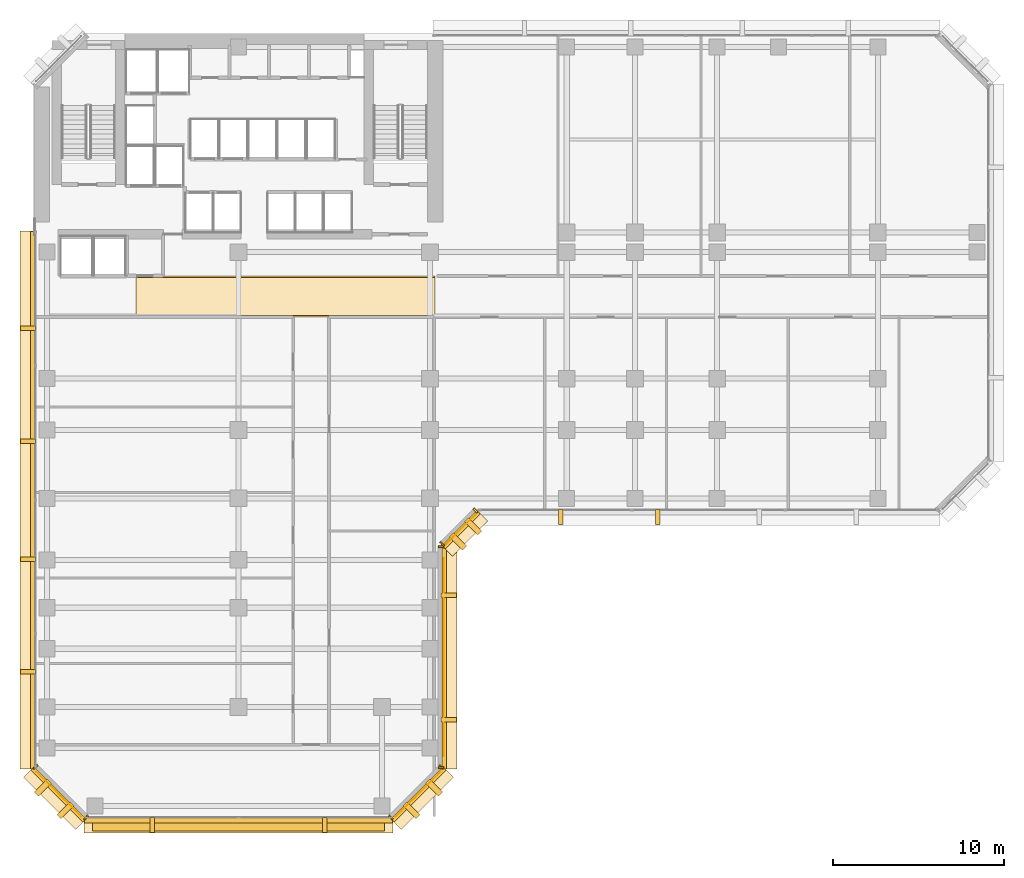
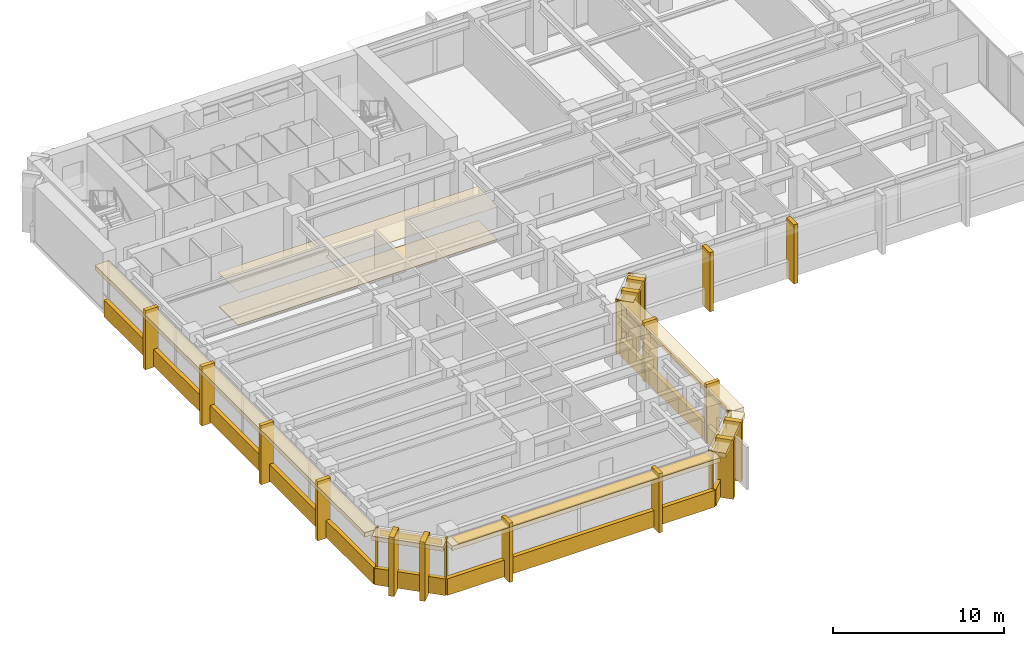
# One storey, part 9 of 13: 42 coverings, 1 shading device.
"""IFC4 building model written with IfcOpenShell, lengths in metres."""

from ifc_helpers import new_model, si_unit, direction, frame, origin, origin_2d, place, context, subcontext, project, spatial, polyline, rectangle, outline, extrude, material, layer, layer_set, type_object, element, save


model = new_model("IFC4")

# Units and contexts
model_context = context("Model", 3, precision=1e-05, world=origin(), true_north=direction((0.0, 1.0)))
body_context = subcontext(model_context, "Body", "Model", "MODEL_VIEW")
ifc_project = project(units=[si_unit("LENGTHUNIT", "METRE"), si_unit("AREAUNIT", "SQUARE_METRE"), si_unit("VOLUMEUNIT", "CUBIC_METRE"), si_unit("PLANEANGLEUNIT", "RADIAN"), si_unit("MASSUNIT", "GRAM", prefix="KILO")], contexts=[model_context])

# Site, building, storey
site_placement = place(None, origin())
site = spatial("IfcSite", under=ifc_project, at=site_placement, CompositionType="ELEMENT")
building_placement = place(site_placement, origin())
building = spatial("IfcBuilding", under=site, at=building_placement, Name="Kefirva Bronze Tower", CompositionType="ELEMENT")
storey_placement = place(building_placement, frame((0.0, 0.0, 58.080078125)))
storey = spatial("IfcBuildingStorey", under=building, at=storey_placement, Name="L13", CompositionType="ELEMENT", Elevation=58.080078125)

# Coverings
ifc_material_1 = material(Name="Acoustic mineral tile")
ifc_layer_1 = layer(ifc_material_1, 0.02490234375, Name="Acoustic mineral tile")
ifc_layer_set_1 = layer_set([ifc_layer_1], Name="Acoustic mineral tile")
covering_type_1 = type_object("IfcCoveringType", Name="Acoustic Mineral Suspended Ceiling 25mm", PredefinedType="CEILING", material=ifc_layer_set_1)
covering_1_placement = place(storey_placement, frame((0.0, 0.0, 2.39990234375)))
element("IfcCovering", 1, at=covering_1_placement, inside=storey, type_object=covering_type_1, Name="L13 Corridor Acoustic Ceiling", PredefinedType="CEILING", context=body_context, shape_type="SweptSolid", body=[
    extrude(outline(polyline([(6.0, 29.39990234375), (23.5, 29.39990234375), (23.5, 31.800048828125), (6.0, 31.800048828125), (6.0, 29.39990234375)])), origin(), (0.0, 0.0, 1.0), 0.02490234375),
])
ifc_material_2 = material(Name="Bronze anodised aluminium", Category="aluminium")
ifc_layer_2 = layer(ifc_material_2, 0.02001953125, Name="Bronze anodised aluminium")
ifc_layer_set_2 = layer_set([ifc_layer_2], Name="Bronze anodised aluminium")
covering_type_2 = type_object("IfcCoveringType", Name="Anodised Bronze Spandrel Cladding 20mm", PredefinedType="CLADDING", material=ifc_layer_set_2)
covering_2_placement = place(storey_placement, frame((12.0, -0.0400390625, -0.16015625), z_axis=(0.0, 0.0, 1.0), x_axis=(1.0, 0.0, 0.0)))
element("IfcCovering", 2, at=covering_2_placement, inside=storey, type_object=covering_type_2, Name="L13 Streamline Horizontal Spandrel Band 0", PredefinedType="CLADDING", context=body_context, shape_type="SweptSolid", body=[
    extrude(rectangle(XDim=18.0400390625, YDim=0.280029296875, at=origin_2d()), origin(), (0.0, 0.0, 1.0), 1.179931640625),
])
covering_3_placement = place(storey_placement, frame((22.507080078125, 1.492919921875, 3.2900390625), z_axis=(0.0, 0.0, 1.0), x_axis=(0.707106781187, 0.707106781187, 0.0)))
element("IfcCovering", 3, at=covering_3_placement, inside=storey, type_object=covering_type_2, Name="L13 Bronze Spandrel Cladding 1", PredefinedType="CLADDING", context=body_context, shape_type="SweptSolid", body=[
    extrude(rectangle(XDim=3.719482421875, YDim=0.02001953125, at=origin_2d()), origin(), (0.0, 0.0, 1.0), 0.39990234375),
])
for number, where, z_axis, x_axis, name in (
    (4, (20.91162109375, 0.137939453125, 0.0), (0.0, 0.0, 1.0), (0.707106781187, 0.707106781187, 0.0), "L13 Facade Joint Closure Panel 1S"),
    (5, (23.862060546875, 3.08837890625, 0.0), (0.0, 0.0, 1.0), (0.707106781187, 0.707106781187, 0.0), "L13 Facade Joint Closure Panel 1E"),
):
    element("IfcCovering", number, at=place(storey_placement, frame(where, z_axis=z_axis, x_axis=x_axis)), inside=storey, type_object=covering_type_2, Name=name, PredefinedType="CLADDING", context=body_context, shape_type="SweptSolid", body=[
        extrude(rectangle(XDim=0.10009765625, YDim=0.320068359375, at=origin_2d()), origin(), (0.0, 0.0, 1.0), 3.7099609375),
    ])
covering_4_placement = place(storey_placement, frame((22.5283203125, 1.4716796875, -0.16015625), z_axis=(0.0, 0.0, 1.0), x_axis=(0.707106781187, 0.707106781187, 0.0)))
element("IfcCovering", 6, at=covering_4_placement, inside=storey, type_object=covering_type_2, Name="L13 Streamline Horizontal Spandrel Band 1", PredefinedType="CLADDING", context=body_context, shape_type="SweptSolid", body=[
    extrude(rectangle(XDim=4.28271484375, YDim=0.280029296875, at=origin_2d()), origin(), (0.0, 0.0, 1.0), 1.179931640625),
])
covering_5_placement = place(storey_placement, frame((24.010009765625, 9.5, 3.2900390625), z_axis=(0.0, 0.0, 1.0), x_axis=(0.0, 1.0, 0.0)))
element("IfcCovering", 7, at=covering_5_placement, inside=storey, type_object=covering_type_2, Name="L13 Bronze Spandrel Cladding 2", PredefinedType="CLADDING", context=body_context, shape_type="SweptSolid", body=[
    extrude(rectangle(XDim=11.60107421875, YDim=0.02001953125, at=origin_2d()), origin(), (0.0, 0.0, 1.0), 0.39990234375),
])
for number, where, z_axis, x_axis, name in (
    (8, (23.840087890625, 3.034912109375, 0.0), (0.0, 0.0, 1.0), (0.0, 1.0, 0.0), "L13 Facade Joint Closure Panel 2S"),
    (9, (23.840087890625, 15.965087890625, 0.0), (0.0, 0.0, 1.0), (0.0, 1.0, 0.0), "L13 Facade Joint Closure Panel 2E"),
):
    element("IfcCovering", number, at=place(storey_placement, frame(where, z_axis=z_axis, x_axis=x_axis)), inside=storey, type_object=covering_type_2, Name=name, PredefinedType="CLADDING", context=body_context, shape_type="SweptSolid", body=[
        extrude(rectangle(XDim=0.10009765625, YDim=0.320068359375, at=origin_2d()), origin(), (0.0, 0.0, 1.0), 3.7099609375),
    ])
covering_6_placement = place(storey_placement, frame((24.0400390625, 9.5, -0.16015625), z_axis=(0.0, 0.0, 1.0), x_axis=(0.0, 1.0, 0.0)))
element("IfcCovering", 10, at=covering_6_placement, inside=storey, type_object=covering_type_2, Name="L13 Streamline Horizontal Spandrel Band 2", PredefinedType="CLADDING", context=body_context, shape_type="SweptSolid", body=[
    extrude(rectangle(XDim=13.0400390625, YDim=0.280029296875, at=origin_2d()), origin(), (0.0, 0.0, 1.0), 1.179931640625),
])
covering_7_placement = place(storey_placement, frame((25.007080078125, 16.992919921875, 3.2900390625), z_axis=(0.0, 0.0, 1.0), x_axis=(0.707106781187, 0.707106781187, 0.0)))
element("IfcCovering", 11, at=covering_7_placement, inside=storey, type_object=covering_type_2, Name="L13 Bronze Spandrel Cladding 3", PredefinedType="CLADDING", context=body_context, shape_type="SweptSolid", body=[
    extrude(rectangle(XDim=2.446533203125, YDim=0.02001953125, at=origin_2d()), origin(), (0.0, 0.0, 1.0), 0.39990234375),
])
for number, where, z_axis, x_axis, name in (
    (12, (23.91162109375, 16.137939453125, 0.0), (0.0, 0.0, 1.0), (0.707106781187, 0.707106781187, 0.0), "L13 Facade Joint Closure Panel 3S"),
    (13, (25.862060546875, 18.08837890625, 0.0), (0.0, 0.0, 1.0), (0.707106781187, 0.707106781187, 0.0), "L13 Facade Joint Closure Panel 3E"),
):
    element("IfcCovering", number, at=place(storey_placement, frame(where, z_axis=z_axis, x_axis=x_axis)), inside=storey, type_object=covering_type_2, Name=name, PredefinedType="CLADDING", context=body_context, shape_type="SweptSolid", body=[
        extrude(rectangle(XDim=0.10009765625, YDim=0.320068359375, at=origin_2d()), origin(), (0.0, 0.0, 1.0), 3.7099609375),
    ])
covering_8_placement = place(storey_placement, frame((25.0283203125, 16.9716796875, -0.16015625), z_axis=(0.0, 0.0, 1.0), x_axis=(0.707106781187, 0.707106781187, 0.0)))
element("IfcCovering", 14, at=covering_8_placement, inside=storey, type_object=covering_type_2, Name="L13 Streamline Horizontal Spandrel Band 3", PredefinedType="CLADDING", context=body_context, shape_type="SweptSolid", body=[
    extrude(rectangle(XDim=2.868408203125, YDim=0.280029296875, at=origin_2d()), origin(), (0.0, 0.0, 1.0), 1.179931640625),
])
covering_9_placement = place(storey_placement, frame((-0.0400390625, 18.697509765625, -0.16015625), z_axis=(0.0, 0.0, 1.0), x_axis=(0.0, -1.0, 0.0)))
element("IfcCovering", 15, at=covering_9_placement, inside=storey, type_object=covering_type_2, Name="L13 Streamline Horizontal Spandrel Band 10", PredefinedType="CLADDING", context=body_context, shape_type="SweptSolid", body=[
    extrude(rectangle(XDim=31.43505859375, YDim=0.280029296875, at=origin_2d()), origin(), (0.0, 0.0, 1.0), 1.179931640625),
])
covering_10_placement = place(storey_placement, frame((1.492919921875, 1.492919921875, 3.2900390625), z_axis=(0.0, 0.0, 1.0), x_axis=(0.707106781187, -0.707106781187, 0.0)))
element("IfcCovering", 16, at=covering_10_placement, inside=storey, type_object=covering_type_2, Name="L13 Bronze Spandrel Cladding 7", PredefinedType="CLADDING", context=body_context, shape_type="SweptSolid", body=[
    extrude(rectangle(XDim=3.719482421875, YDim=0.02001953125, at=origin_2d()), origin(), (0.0, 0.0, 1.0), 0.39990234375),
])
for number, where, z_axis, x_axis, name in (
    (17, (0.137939453125, 3.08837890625, 0.0), (0.0, 0.0, 1.0), (0.707106781187, -0.707106781187, 0.0), "L13 Facade Joint Closure Panel 7S"),
    (18, (3.08837890625, 0.137939453125, 0.0), (0.0, 0.0, 1.0), (0.707106781187, -0.707106781187, 0.0), "L13 Facade Joint Closure Panel 7E"),
):
    element("IfcCovering", number, at=place(storey_placement, frame(where, z_axis=z_axis, x_axis=x_axis)), inside=storey, type_object=covering_type_2, Name=name, PredefinedType="CLADDING", context=body_context, shape_type="SweptSolid", body=[
        extrude(rectangle(XDim=0.10009765625, YDim=0.320068359375, at=origin_2d()), origin(), (0.0, 0.0, 1.0), 3.7099609375),
    ])
covering_11_placement = place(storey_placement, frame((1.4716796875, 1.4716796875, -0.16015625), z_axis=(0.0, 0.0, 1.0), x_axis=(0.707106781187, -0.707106781187, 0.0)))
element("IfcCovering", 19, at=covering_11_placement, inside=storey, type_object=covering_type_2, Name="L13 Streamline Horizontal Spandrel Band 11", PredefinedType="CLADDING", context=body_context, shape_type="SweptSolid", body=[
    extrude(rectangle(XDim=4.28271484375, YDim=0.280029296875, at=origin_2d()), origin(), (0.0, 0.0, 1.0), 1.179931640625),
])

# Shading device
ifc_layer_3 = layer(ifc_material_2, 0.090087890625, Name="Bronze anodised aluminium")
ifc_layer_set_3 = layer_set([ifc_layer_3], Name="Bronze anodised aluminium")
shading_device_type = type_object("IfcShadingDeviceType", Name="Horizontal Bronze Sunshade Band 750mm", PredefinedType="JALOUSIE", material=ifc_layer_set_3)
shading_device_placement = place(storey_placement, frame((12.0, -0.294921875, 3.60498046875), z_axis=(0.0, 0.0, 1.0), x_axis=(1.0, 0.0, 0.0)))
element("IfcShadingDevice", 20, at=shading_device_placement, inside=storey, type_object=shading_device_type, Name="L13 Horizontal Bronze Sunshade Band 0", PredefinedType="JALOUSIE", context=body_context, shape_type="SweptSolid", body=[
    extrude(rectangle(XDim=17.090087890625, YDim=0.75, at=origin_2d()), origin(), (0.0, 0.0, 1.0), 0.090087890625),
])

# Coverings
ifc_material_3 = material(Name="Calcium sulphate access tile")
ifc_layer_4 = layer(ifc_material_3, 0.044921875, Name="Calcium sulphate access tile")
ifc_layer_set_4 = layer_set([ifc_layer_4], Name="Calcium sulphate access tile")
covering_type_3 = type_object("IfcCoveringType", Name="Raised Access Office Flooring 45mm", PredefinedType="FLOORING", material=ifc_layer_set_4)
covering_12_placement = place(storey_placement, origin())
element("IfcCovering", 21, at=covering_12_placement, inside=storey, type_object=covering_type_3, Name="L13 Architectural Finish Flooring", PredefinedType="FLOORING", context=body_context, shape_type="SweptSolid", body=[
    extrude(outline(polyline([(6.0, 29.47998046875), (23.5, 29.47998046875), (23.5, 31.719970703125), (6.0, 31.719970703125), (6.0, 29.47998046875)])), origin(), (0.0, 0.0, 1.0), 0.044921875),
])
ifc_layer_5 = layer(ifc_material_2, 0.179931640625, Name="Bronze anodised aluminium")
ifc_layer_set_5 = layer_set([ifc_layer_5], Name="Bronze anodised aluminium")
covering_type_4 = type_object("IfcCoveringType", Name="Streamline Bronze Sunshade Eyebrow Cladding 180mm", PredefinedType="CLADDING", material=ifc_layer_set_5)
covering_13_placement = place(storey_placement, frame((12.0, -0.31005859375, 3.3896484375), z_axis=(0.0, 0.0, 1.0), x_axis=(1.0, 0.0, 0.0)))
element("IfcCovering", 22, at=covering_13_placement, inside=storey, type_object=covering_type_4, Name="L13 Streamline Bronze Sunshade Eyebrow 0", PredefinedType="CLADDING", context=body_context, shape_type="SweptSolid", body=[
    extrude(rectangle(XDim=18.080078125, YDim=0.93994140625, at=origin_2d()), origin(), (0.0, 0.0, 1.0), 0.320068359375),
])
covering_14_placement = place(storey_placement, frame((22.71923828125, 1.28076171875, 3.3896484375), z_axis=(0.0, 0.0, 1.0), x_axis=(0.707106781187, 0.707106781187, 0.0)))
element("IfcCovering", 23, at=covering_14_placement, inside=storey, type_object=covering_type_4, Name="L13 Streamline Bronze Sunshade Eyebrow 1", PredefinedType="CLADDING", context=body_context, shape_type="SweptSolid", body=[
    extrude(rectangle(XDim=4.322509765625, YDim=0.93994140625, at=origin_2d()), origin(), (0.0, 0.0, 1.0), 0.320068359375),
])
covering_15_placement = place(storey_placement, frame((24.31005859375, 9.5, 3.3896484375), z_axis=(0.0, 0.0, 1.0), x_axis=(0.0, 1.0, 0.0)))
element("IfcCovering", 24, at=covering_15_placement, inside=storey, type_object=covering_type_4, Name="L13 Streamline Bronze Sunshade Eyebrow 2", PredefinedType="CLADDING", context=body_context, shape_type="SweptSolid", body=[
    extrude(rectangle(XDim=13.080078125, YDim=0.93994140625, at=origin_2d()), origin(), (0.0, 0.0, 1.0), 0.320068359375),
])
covering_16_placement = place(storey_placement, frame((25.21923828125, 16.78076171875, 3.3896484375), z_axis=(0.0, 0.0, 1.0), x_axis=(0.707106781187, 0.707106781187, 0.0)))
element("IfcCovering", 25, at=covering_16_placement, inside=storey, type_object=covering_type_4, Name="L13 Streamline Bronze Sunshade Eyebrow 3", PredefinedType="CLADDING", context=body_context, shape_type="SweptSolid", body=[
    extrude(rectangle(XDim=2.908447265625, YDim=0.93994140625, at=origin_2d()), origin(), (0.0, 0.0, 1.0), 0.320068359375),
])
covering_17_placement = place(storey_placement, frame((-0.31005859375, 18.697509765625, 3.3896484375), z_axis=(0.0, 0.0, 1.0), x_axis=(0.0, -1.0, 0.0)))
element("IfcCovering", 26, at=covering_17_placement, inside=storey, type_object=covering_type_4, Name="L13 Streamline Bronze Sunshade Eyebrow 10", PredefinedType="CLADDING", context=body_context, shape_type="SweptSolid", body=[
    extrude(rectangle(XDim=31.47509765625, YDim=0.93994140625, at=origin_2d()), origin(), (0.0, 0.0, 1.0), 0.320068359375),
])
covering_18_placement = place(storey_placement, frame((1.28076171875, 1.28076171875, 3.3896484375), z_axis=(0.0, 0.0, 1.0), x_axis=(0.707106781187, -0.707106781187, 0.0)))
element("IfcCovering", 27, at=covering_18_placement, inside=storey, type_object=covering_type_4, Name="L13 Streamline Bronze Sunshade Eyebrow 11", PredefinedType="CLADDING", context=body_context, shape_type="SweptSolid", body=[
    extrude(rectangle(XDim=4.322509765625, YDim=0.93994140625, at=origin_2d()), origin(), (0.0, 0.0, 1.0), 0.320068359375),
])
ifc_layer_6 = layer(ifc_material_2, 0.260009765625, Name="Bronze anodised aluminium")
ifc_layer_set_6 = layer_set([ifc_layer_6], Name="Bronze anodised aluminium")
covering_type_5 = type_object("IfcCoveringType", Name="Unbroken Bronze Buttress Fin Cladding 260mm", PredefinedType="CLADDING", material=ifc_layer_set_6)
for number, where, z_axis, x_axis, name in (
    (28, (6.9599609375, -0.300048828125, -0.25), (0.0, 0.0, 1.0), (1.0, 0.0, 0.0), "L13 Unbroken Vertical Bronze Rib Fin 1"),
    (29, (17.0400390625, -0.300048828125, -0.25), (0.0, 0.0, 1.0), (1.0, 0.0, 0.0), "L13 Unbroken Vertical Bronze Rib Fin 2"),
):
    element("IfcCovering", number, at=place(storey_placement, frame(where, z_axis=z_axis, x_axis=x_axis)), inside=storey, type_object=covering_type_5, Name=name, PredefinedType="CLADDING", context=body_context, shape_type="SweptSolid", body=[
        extrude(rectangle(XDim=0.260009765625, YDim=0.8798828125, at=origin_2d()), origin(), (0.0, 0.0, 1.0), 4.2099609375),
    ])
for number, where, z_axis, x_axis, name in (
    (30, (22.122802734375, 0.55712890625, -0.25), (0.0, 0.0, 1.0), (0.707106781187, 0.707106781187, 0.0), "L13 Chamfered Corner Buttress Fin Cladding 3"),
    (31, (23.44287109375, 1.877197265625, -0.25), (0.0, 0.0, 1.0), (0.707106781187, 0.707106781187, 0.0), "L13 Chamfered Corner Buttress Fin Cladding 4"),
):
    element("IfcCovering", number, at=place(storey_placement, frame(where, z_axis=z_axis, x_axis=x_axis)), inside=storey, type_object=covering_type_5, Name=name, PredefinedType="CLADDING", context=body_context, shape_type="SweptSolid", body=[
        extrude(rectangle(XDim=0.340087890625, YDim=1.080078125, at=origin_2d()), origin(), (0.0, 0.0, 1.0), 4.2099609375),
    ])
for number, where, z_axis, x_axis, name in (
    (32, (24.300048828125, 5.860107421875, -0.25), (0.0, 0.0, 1.0), (0.0, 1.0, 0.0), "L13 Unbroken Vertical Bronze Rib Fin 5"),
    (33, (24.300048828125, 13.139892578125, -0.25), (0.0, 0.0, 1.0), (0.0, 1.0, 0.0), "L13 Unbroken Vertical Bronze Rib Fin 6"),
):
    element("IfcCovering", number, at=place(storey_placement, frame(where, z_axis=z_axis, x_axis=x_axis)), inside=storey, type_object=covering_type_5, Name=name, PredefinedType="CLADDING", context=body_context, shape_type="SweptSolid", body=[
        extrude(rectangle(XDim=0.260009765625, YDim=0.8798828125, at=origin_2d()), origin(), (0.0, 0.0, 1.0), 4.2099609375),
    ])
for number, where, z_axis, x_axis, name in (
    (34, (24.8427734375, 16.277099609375, -0.25), (0.0, 0.0, 1.0), (0.707106781187, 0.707106781187, 0.0), "L13 Chamfered Corner Buttress Fin Cladding 7"),
    (35, (25.722900390625, 17.1572265625, -0.25), (0.0, 0.0, 1.0), (0.707106781187, 0.707106781187, 0.0), "L13 Chamfered Corner Buttress Fin Cladding 8"),
):
    element("IfcCovering", number, at=place(storey_placement, frame(where, z_axis=z_axis, x_axis=x_axis)), inside=storey, type_object=covering_type_5, Name=name, PredefinedType="CLADDING", context=body_context, shape_type="SweptSolid", body=[
        extrude(rectangle(XDim=0.340087890625, YDim=1.080078125, at=origin_2d()), origin(), (0.0, 0.0, 1.0), 4.2099609375),
    ])
for number, where, z_axis, x_axis, name in (
    (36, (30.860107421875, 17.699951171875, -0.25), (0.0, 0.0, 1.0), (1.0, 0.0, 0.0), "L13 Unbroken Vertical Bronze Rib Fin 9"),
    (37, (36.530029296875, 17.699951171875, -0.25), (0.0, 0.0, 1.0), (1.0, 0.0, 0.0), "L13 Unbroken Vertical Bronze Rib Fin 10"),
    (38, (-0.300048828125, 28.743896484375, -0.25), (0.0, 0.0, 1.0), (0.0, -1.0, 0.0), "L13 Unbroken Vertical Bronze Rib Fin 25"),
    (39, (-0.300048828125, 22.15087890625, -0.25), (0.0, 0.0, 1.0), (0.0, -1.0, 0.0), "L13 Unbroken Vertical Bronze Rib Fin 26"),
    (40, (-0.300048828125, 15.244140625, -0.25), (0.0, 0.0, 1.0), (0.0, -1.0, 0.0), "L13 Unbroken Vertical Bronze Rib Fin 27"),
    (41, (-0.300048828125, 8.651123046875, -0.25), (0.0, 0.0, 1.0), (0.0, -1.0, 0.0), "L13 Unbroken Vertical Bronze Rib Fin 28"),
):
    element("IfcCovering", number, at=place(storey_placement, frame(where, z_axis=z_axis, x_axis=x_axis)), inside=storey, type_object=covering_type_5, Name=name, PredefinedType="CLADDING", context=body_context, shape_type="SweptSolid", body=[
        extrude(rectangle(XDim=0.260009765625, YDim=0.8798828125, at=origin_2d()), origin(), (0.0, 0.0, 1.0), 4.2099609375),
    ])
for number, where, z_axis, x_axis, name in (
    (42, (0.55712890625, 1.877197265625, -0.25), (0.0, 0.0, 1.0), (0.707106781187, -0.707106781187, 0.0), "L13 Chamfered Corner Buttress Fin Cladding 29"),
    (43, (1.877197265625, 0.55712890625, -0.25), (0.0, 0.0, 1.0), (0.707106781187, -0.707106781187, 0.0), "L13 Chamfered Corner Buttress Fin Cladding 30"),
):
    element("IfcCovering", number, at=place(storey_placement, frame(where, z_axis=z_axis, x_axis=x_axis)), inside=storey, type_object=covering_type_5, Name=name, PredefinedType="CLADDING", context=body_context, shape_type="SweptSolid", body=[
        extrude(rectangle(XDim=0.340087890625, YDim=1.080078125, at=origin_2d()), origin(), (0.0, 0.0, 1.0), 4.2099609375),
    ])

save(model, "model.ifc")
